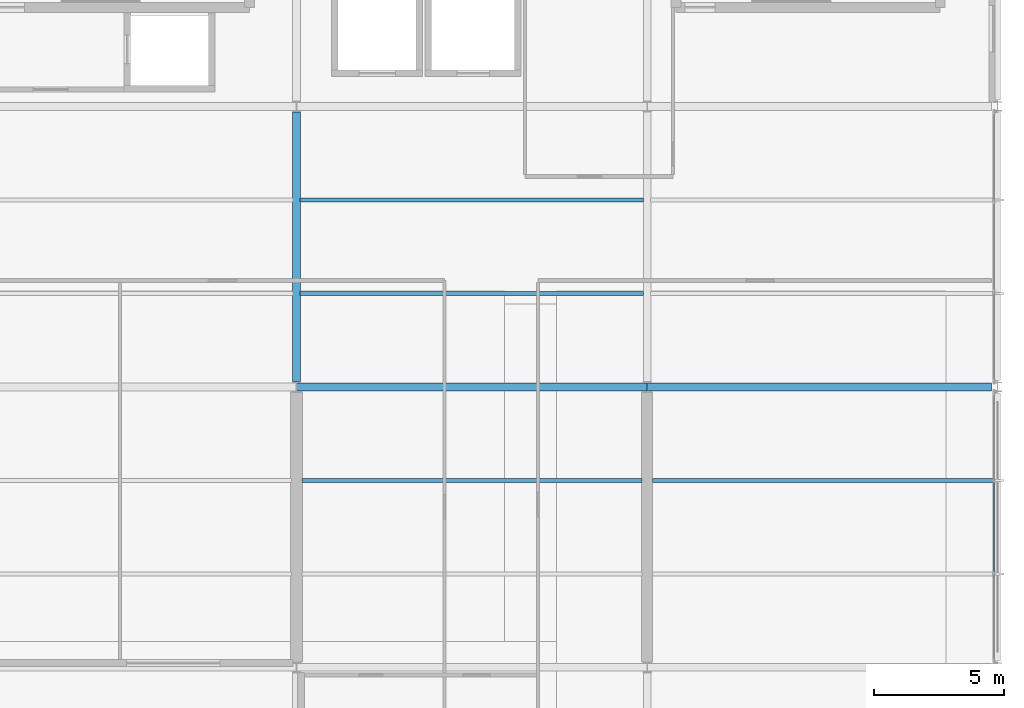
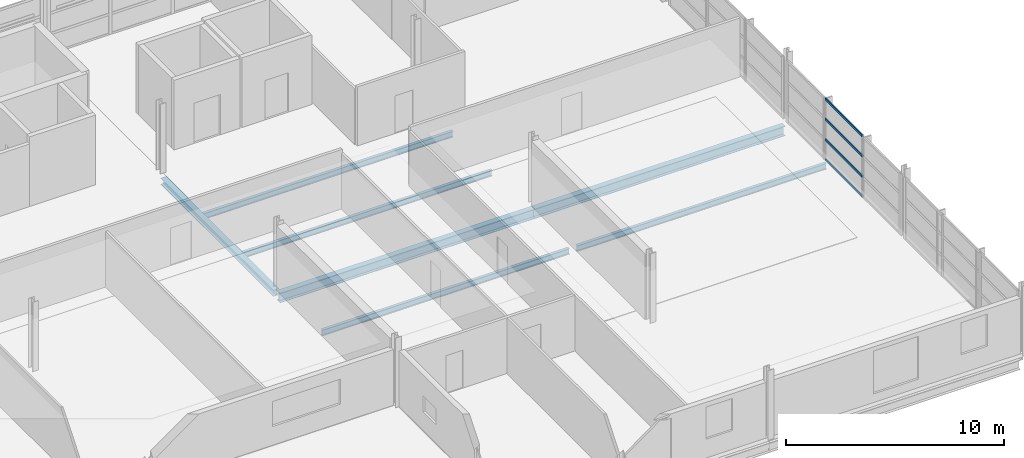
# One storey, part 12 of 33: 7 beams, 4 members, 1 element without a shape of its own.
"""IFC4 building model written with IfcOpenShell, lengths in metres."""

from ifc_helpers import new_model, si_unit, direction, frame, origin, origin_2d, place, context, subcontext, project, spatial, hollow_rectangle, i_section, extrude, material, layer, layer_set, material_profile, profile_set, type_object, element, aggregate, save


model = new_model("IFC4")

# Units and contexts
model_context = context("Model", 3, precision=1e-05, world=origin(), true_north=direction((0.0, 1.0)))
body_context = subcontext(model_context, "Body", "Model", "MODEL_VIEW")
ifc_project = project(units=[si_unit("LENGTHUNIT", "METRE"), si_unit("AREAUNIT", "SQUARE_METRE"), si_unit("VOLUMEUNIT", "CUBIC_METRE"), si_unit("PLANEANGLEUNIT", "RADIAN"), si_unit("MASSUNIT", "GRAM", prefix="KILO")], contexts=[model_context])

# Site, building, storey
site_placement = place(None, origin())
site = spatial("IfcSite", under=ifc_project, at=site_placement, CompositionType="ELEMENT")
building_placement = place(site_placement, origin())
building = spatial("IfcBuilding", under=site, at=building_placement, Name="Tamarisk Ironworks Central Station", CompositionType="ELEMENT")
storey_placement = place(building_placement, frame((0.0, 0.0, 21.300048828125)))
storey = spatial("IfcBuildingStorey", under=building, at=storey_placement, Name="L04", CompositionType="ELEMENT", Elevation=21.300048828125)

# Beams
ifc_material_1 = material(Name="Structural steel S355J2", Category="steel")
ifc_material_profile_1 = material_profile(ifc_material_1, i_section(OverallWidth=0.159912109375, OverallDepth=0.330078125, WebThickness=0.007568359375, FlangeThickness=0.011474609375, at=origin_2d()), Name="IPE 330")
ifc_profile_set_1 = profile_set([ifc_material_profile_1], Name="Structural steel S355J2")
beam_type_1 = type_object("IfcBeamType", Name="BM-B06", PredefinedType="BEAM", material=ifc_profile_set_1)
beam_1_placement = place(storey_placement, frame((153.199951171875, 97.199951171875, -0.385009765625), z_axis=(1.0, 0.0, 0.0), x_axis=(0.0, 1.0, 0.0)))
element("IfcBeam", 1, at=beam_1_placement, inside=storey, type_object=beam_type_1, Name="L04 secondary composite beam 0246", PredefinedType="BEAM", context=body_context, shape_type="SweptSolid", body=[
    extrude(i_section(OverallWidth=0.159912109375, OverallDepth=0.330078125, WebThickness=0.007568359375, FlangeThickness=0.011474609375, at=origin_2d()), origin(), (0.0, 0.0, 1.0), 13.10009765625),
])
for number, where, z_axis, x_axis, name in (
    (2, (153.135009765625, 104.39990234375, -0.385009765625), (1.0, 0.0, 0.0), (0.0, 1.0, 0.0), "L04 secondary composite beam 0247"),
    (3, (153.135009765625, 108.0, -0.385009765625), (1.0, 0.0, 0.0), (0.0, 1.0, 0.0), "L04 secondary composite beam 0248"),
):
    element("IfcBeam", number, at=place(storey_placement, frame(where, z_axis=z_axis, x_axis=x_axis)), inside=storey, type_object=beam_type_1, Name=name, PredefinedType="BEAM", context=body_context, shape_type="SweptSolid", body=[
        extrude(i_section(OverallWidth=0.159912109375, OverallDepth=0.330078125, WebThickness=0.007568359375, FlangeThickness=0.011474609375, at=origin_2d()), origin(), (0.0, 0.0, 1.0), 13.22998046875),
    ])
beam_2_placement = place(storey_placement, frame((166.699951171875, 97.199951171875, -0.385009765625), z_axis=(1.0, 0.0, 0.0), x_axis=(0.0, 1.0, 0.0)))
element("IfcBeam", 4, at=beam_2_placement, inside=storey, type_object=beam_type_1, Name="L04 secondary composite beam 0251", PredefinedType="BEAM", context=body_context, shape_type="SweptSolid", body=[
    extrude(i_section(OverallWidth=0.159912109375, OverallDepth=0.330078125, WebThickness=0.007568359375, FlangeThickness=0.011474609375, at=origin_2d()), origin(), (0.0, 0.0, 1.0), 13.215087890625),
])
ifc_material_profile_2 = material_profile(ifc_material_1, i_section(OverallWidth=0.300048828125, OverallDepth=0.5400390625, WebThickness=0.012451171875, FlangeThickness=0.02392578125, at=origin_2d()), Name="HEA 550")
ifc_profile_set_2 = profile_set([ifc_material_profile_2], Name="Structural steel S355J2")
beam_type_2 = type_object("IfcBeamType", Name="BM-G04", PredefinedType="BEAM", material=ifc_profile_set_2)
beam_3_placement = place(storey_placement, frame((153.00390625, 100.800048828125, -0.489990234375), z_axis=(1.0, 0.0, 0.0), x_axis=(0.0, 1.0, 0.0)))
element("IfcBeam", 5, at=beam_3_placement, inside=storey, type_object=beam_type_2, Name="L04 primary girder X-0718", PredefinedType="BEAM", context=body_context, shape_type="SweptSolid", body=[
    extrude(i_section(OverallWidth=0.300048828125, OverallDepth=0.5400390625, WebThickness=0.012451171875, FlangeThickness=0.02392578125, at=origin_2d()), origin(), (0.0, 0.0, 1.0), 13.4921875),
])
beam_4_placement = place(storey_placement, frame((166.50390625, 100.800048828125, -0.489990234375), z_axis=(1.0, 0.0, 0.0), x_axis=(0.0, 1.0, 0.0)))
element("IfcBeam", 6, at=beam_4_placement, inside=storey, type_object=beam_type_2, Name="L04 primary girder X-0719", PredefinedType="BEAM", context=body_context, shape_type="SweptSolid", body=[
    extrude(i_section(OverallWidth=0.300048828125, OverallDepth=0.5400390625, WebThickness=0.012451171875, FlangeThickness=0.02392578125, at=origin_2d()), origin(), (0.0, 0.0, 1.0), 13.258056640625),
])
ifc_material_profile_3 = material_profile(ifc_material_1, i_section(OverallWidth=0.300048828125, OverallDepth=0.35009765625, WebThickness=0.010009765625, FlangeThickness=0.017578125, at=origin_2d()), Name="HEA 360")
ifc_profile_set_3 = profile_set([ifc_material_profile_3], Name="Structural steel S355J2")
beam_type_3 = type_object("IfcBeamType", Name="BM-G08", PredefinedType="BEAM", material=ifc_profile_set_3)
beam_5_placement = place(storey_placement, frame((153.0, 101.012939453125, -0.39501953125), z_axis=(0.0, 1.0, 0.0), x_axis=(-1.0, 0.0, 0.0)))
element("IfcBeam", 7, at=beam_5_placement, inside=storey, type_object=beam_type_3, Name="L04 primary girder Y-0741", PredefinedType="BEAM", context=body_context, shape_type="SweptSolid", body=[
    extrude(i_section(OverallWidth=0.300048828125, OverallDepth=0.35009765625, WebThickness=0.010009765625, FlangeThickness=0.017578125, at=origin_2d()), origin(), (0.0, 0.0, 1.0), 10.3740234375),
])

# Curtain wall, members
ifc_material_2 = material(Name="Anodized aluminium alloy 6063-T6", Category="aluminium")
ifc_layer = layer(ifc_material_2, 0.179931640625)
ifc_layer_set = layer_set([ifc_layer], Name="Anodized aluminium alloy 6063-T6")
curtain_wall_type = type_object("IfcCurtainWallType", Name="CW-22", PredefinedType="USERDEFINED", material=ifc_layer_set)
curtain_wall_placement = place(storey_placement, origin())
curtain_wall = element("IfcCurtainWall", 8, at=curtain_wall_placement, inside=storey, type_object=curtain_wall_type, Name="Operations L04 east facade curtain wall 090", ObjectType="GLAZED CURTAIN WALL", PredefinedType="USERDEFINED")
ifc_material_profile_4 = material_profile(ifc_material_2, hollow_rectangle(XDim=0.06494140625, YDim=0.135009765625, WallThickness=0.00341796875, at=origin_2d()), Name="ALUM 135x65")
ifc_profile_set_4 = profile_set([ifc_material_profile_4], Name="Anodized aluminium alloy 6063-T6")
member_type = type_object("IfcMemberType", Name="CWT-02", PredefinedType="USERDEFINED", material=ifc_profile_set_4)
member_1_placement = place(storey_placement, frame((179.85009765625, 93.687744140625, 0.032470703125), z_axis=(0.0, 1.0, 0.0), x_axis=(-1.0, 0.0, 0.0)))
member_1 = element("IfcMember", 9, at=member_1_placement, type_object=member_type, Name="CW22 transom 2.1", ObjectType="TRANSOM", PredefinedType="USERDEFINED", context=body_context, shape_type="SweptSolid", body=[
    extrude(hollow_rectangle(XDim=0.06494140625, YDim=0.135009765625, WallThickness=0.00341796875, at=origin_2d()), origin(), (0.0, 0.0, 1.0), 3.42431640625),
])
member_2_placement = place(storey_placement, frame((179.85009765625, 93.687744140625, 1.1533203125), z_axis=(0.0, 1.0, 0.0), x_axis=(-1.0, 0.0, 0.0)))
member_2 = element("IfcMember", 10, at=member_2_placement, type_object=member_type, Name="CW22 transom 2.2", ObjectType="TRANSOM", PredefinedType="USERDEFINED", context=body_context, shape_type="SweptSolid", body=[
    extrude(hollow_rectangle(XDim=0.06494140625, YDim=0.135009765625, WallThickness=0.00341796875, at=origin_2d()), origin(), (0.0, 0.0, 1.0), 3.42431640625),
])
member_3_placement = place(storey_placement, frame((179.85009765625, 93.687744140625, 2.306640625), z_axis=(0.0, 1.0, 0.0), x_axis=(-1.0, 0.0, 0.0)))
member_3 = element("IfcMember", 11, at=member_3_placement, type_object=member_type, Name="CW22 transom 2.3", ObjectType="TRANSOM", PredefinedType="USERDEFINED", context=body_context, shape_type="SweptSolid", body=[
    extrude(hollow_rectangle(XDim=0.06494140625, YDim=0.135009765625, WallThickness=0.00341796875, at=origin_2d()), origin(), (0.0, 0.0, 1.0), 3.42431640625),
])
member_4_placement = place(storey_placement, frame((179.85009765625, 93.687744140625, 3.427490234375), z_axis=(0.0, 1.0, 0.0), x_axis=(-1.0, 0.0, 0.0)))
member_4 = element("IfcMember", 12, at=member_4_placement, type_object=member_type, Name="CW22 transom 2.4", ObjectType="TRANSOM", PredefinedType="USERDEFINED", context=body_context, shape_type="SweptSolid", body=[
    extrude(hollow_rectangle(XDim=0.06494140625, YDim=0.135009765625, WallThickness=0.00341796875, at=origin_2d()), origin(), (0.0, 0.0, 1.0), 3.42431640625),
])
aggregate(curtain_wall, [member_1, member_2, member_3, member_4])

save(model, "model.ifc")
